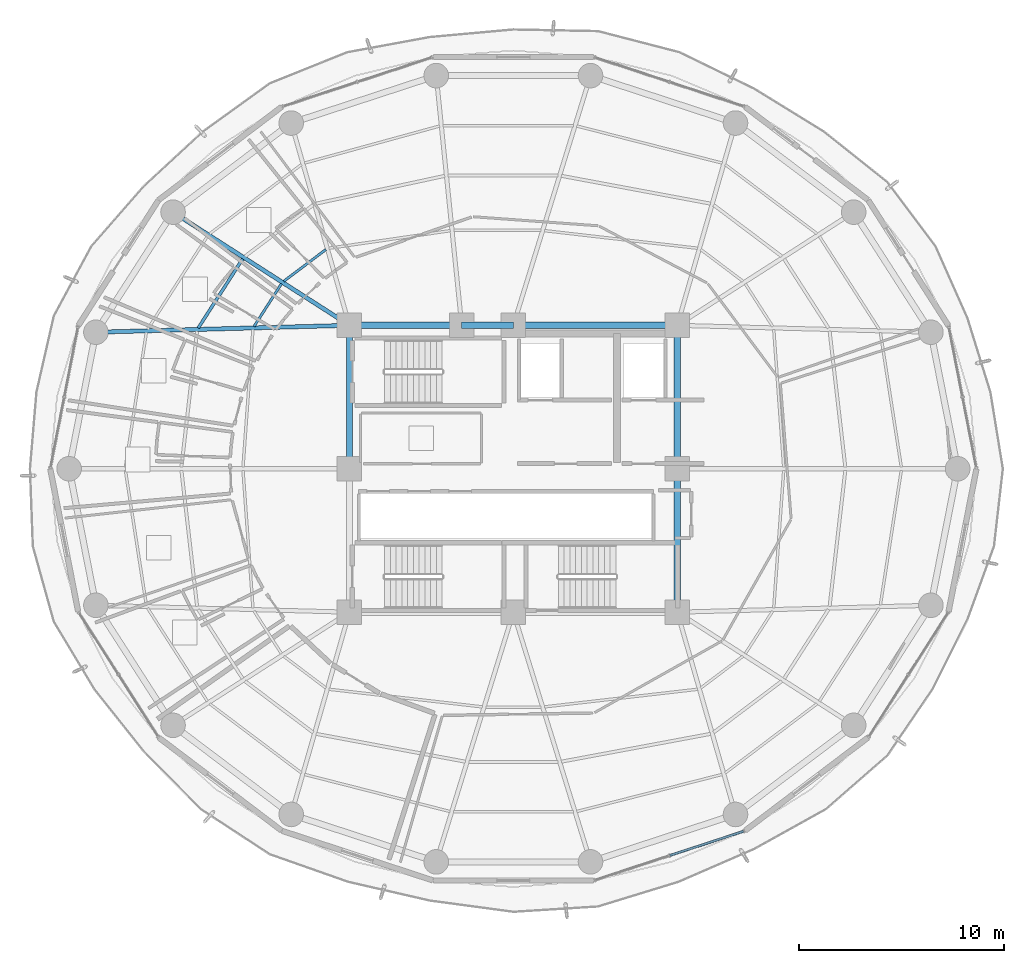
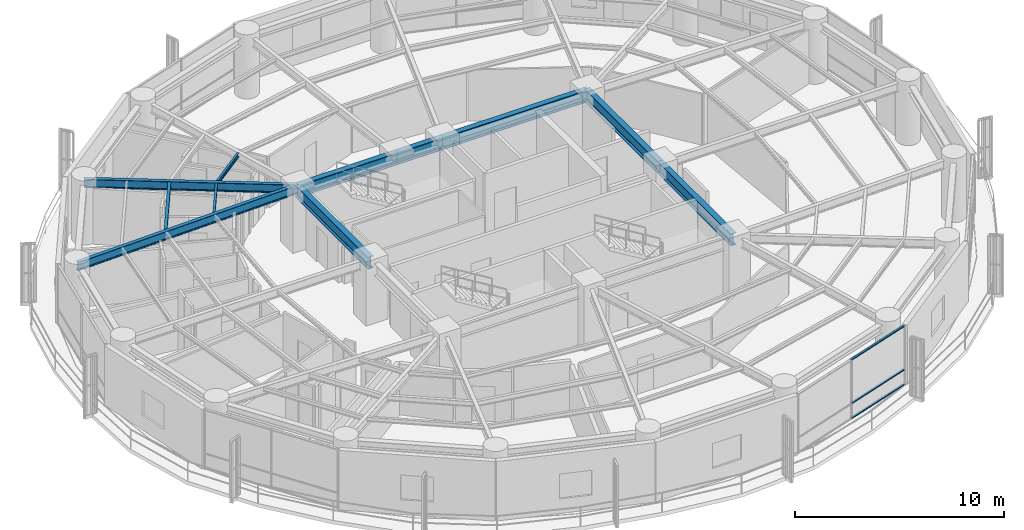
# One storey, part 9 of 27: 11 beams, 3 members, 1 element without a shape of its own.
"""IFC4 building model written with IfcOpenShell, lengths in metres."""

from ifc_helpers import new_model, si_unit, direction, frame, origin, origin_2d, place, context, subcontext, project, spatial, hollow_rectangle, i_section, extrude, material, layer, layer_set, material_profile, profile_set, type_object, element, aggregate, save


model = new_model("IFC4")

# Units and contexts
model_context = context("Model", 3, precision=1e-05, world=origin(), true_north=direction((0.0, 1.0)))
body_context = subcontext(model_context, "Body", "Model", "MODEL_VIEW")
ifc_project = project(units=[si_unit("LENGTHUNIT", "METRE"), si_unit("AREAUNIT", "SQUARE_METRE"), si_unit("VOLUMEUNIT", "CUBIC_METRE"), si_unit("PLANEANGLEUNIT", "RADIAN"), si_unit("MASSUNIT", "GRAM", prefix="KILO")], contexts=[model_context])

# Site, building, storey
site_placement = place(None, origin())
site = spatial("IfcSite", under=ifc_project, at=site_placement, CompositionType="ELEMENT")
building_placement = place(site_placement, origin())
building = spatial("IfcBuilding", under=site, at=building_placement, Name="Kelanora Arch Commons", CompositionType="ELEMENT")
storey_placement = place(building_placement, frame((0.0, 0.0, 169.35009765625)))
storey = spatial("IfcBuildingStorey", under=building, at=storey_placement, Name="L43", CompositionType="ELEMENT", Elevation=169.35009765625)

# Beams
ifc_material_1 = material(Name="Steel S355", Category="steel")
ifc_material_profile_1 = material_profile(ifc_material_1, i_section(OverallWidth=0.300048828125, OverallDepth=0.699951171875, WebThickness=0.01708984375, FlangeThickness=0.031982421875, FilletRadius=0.027099609375, at=origin_2d()), Name="HEB700")
ifc_profile_set_1 = profile_set([ifc_material_profile_1], Name="Steel S355")
beam_type_1 = type_object("IfcBeamType", Name="BM-CORE-HDR", PredefinedType="BEAM", material=ifc_profile_set_1)
for number, where, z_axis, x_axis, name in (
    (1, (82.0, 51.0, 3.139892578125), (0.0, 1.0, 0.0), (-1.0, 0.0, 0.0), "Core Header Beam 03 L43"),
    (2, (82.0, 58.0, 3.139892578125), (0.0, 1.0, 0.0), (-1.0, 0.0, 0.0), "Core Header Beam 04 L43"),
):
    element("IfcBeam", number, at=place(storey_placement, frame(where, z_axis=z_axis, x_axis=x_axis)), inside=storey, type_object=beam_type_1, Name=name, PredefinedType="BEAM", context=body_context, shape_type="SweptSolid", body=[
        extrude(i_section(OverallWidth=0.300048828125, OverallDepth=0.699951171875, WebThickness=0.01708984375, FlangeThickness=0.031982421875, FilletRadius=0.027099609375, at=origin_2d()), origin(), (0.0, 0.0, 1.0), 7.0),
    ])
beam_1_placement = place(storey_placement, frame((82.0, 65.0, 3.139892578125), z_axis=(-1.0, 0.0, 0.0), x_axis=(0.0, -1.0, 0.0)))
element("IfcBeam", 3, at=beam_1_placement, inside=storey, type_object=beam_type_1, Name="Core Header Beam 05 L43", PredefinedType="BEAM", context=body_context, shape_type="SweptSolid", body=[
    extrude(i_section(OverallWidth=0.300048828125, OverallDepth=0.699951171875, WebThickness=0.01708984375, FlangeThickness=0.031982421875, FilletRadius=0.027099609375, at=origin_2d()), origin(), (0.0, 0.0, 1.0), 8.0),
])
beam_2_placement = place(storey_placement, frame((74.0, 65.0, 3.139892578125), z_axis=(-1.0, 0.0, 0.0), x_axis=(0.0, -1.0, 0.0)))
element("IfcBeam", 4, at=beam_2_placement, inside=storey, type_object=beam_type_1, Name="Core Header Beam 06 L43", PredefinedType="BEAM", context=body_context, shape_type="SweptSolid", body=[
    extrude(i_section(OverallWidth=0.300048828125, OverallDepth=0.699951171875, WebThickness=0.01708984375, FlangeThickness=0.031982421875, FilletRadius=0.027099609375, at=origin_2d()), origin(), (0.0, 0.0, 1.0), 2.52001953125),
])
beam_3_placement = place(storey_placement, frame((71.47998046875, 65.0, 3.139892578125), z_axis=(-1.0, 0.0, 0.0), x_axis=(0.0, -1.0, 0.0)))
element("IfcBeam", 5, at=beam_3_placement, inside=storey, type_object=beam_type_1, Name="Core Header Beam 07 L43", PredefinedType="BEAM", context=body_context, shape_type="SweptSolid", body=[
    extrude(i_section(OverallWidth=0.300048828125, OverallDepth=0.699951171875, WebThickness=0.01708984375, FlangeThickness=0.031982421875, FilletRadius=0.027099609375, at=origin_2d()), origin(), (0.0, 0.0, 1.0), 5.47998046875),
])
beam_4_placement = place(storey_placement, frame((66.0, 65.0, 3.139892578125), z_axis=(0.0, -1.0, 0.0), x_axis=(1.0, 0.0, 0.0)))
element("IfcBeam", 6, at=beam_4_placement, inside=storey, type_object=beam_type_1, Name="Core Header Beam 08 L43", PredefinedType="BEAM", context=body_context, shape_type="SweptSolid", body=[
    extrude(i_section(OverallWidth=0.300048828125, OverallDepth=0.699951171875, WebThickness=0.01708984375, FlangeThickness=0.031982421875, FilletRadius=0.027099609375, at=origin_2d()), origin(), (0.0, 0.0, 1.0), 7.0),
])
ifc_material_profile_2 = material_profile(ifc_material_1, i_section(OverallWidth=0.14990234375, OverallDepth=0.300048828125, WebThickness=0.007080078125, FlangeThickness=0.0107421875, FilletRadius=0.014892578125, at=origin_2d()), Name="IPE300")
ifc_profile_set_2 = profile_set([ifc_material_profile_2], Name="Steel S355")
beam_type_2 = type_object("IfcBeamType", Name="BM-JST-01", PredefinedType="JOIST", material=ifc_profile_set_2)
beam_5_placement = place(storey_placement, frame((60.789306640625, 68.241455078125, 3.33984375), z_axis=(-0.540594434398, -0.841283339606, 0.0), x_axis=(0.841283339606, -0.540594434398, 0.0)))
element("IfcBeam", 7, at=beam_5_placement, inside=storey, type_object=beam_type_2, Name="Secondary Chord Joist BJB-14 L43", PredefinedType="JOIST", context=body_context, shape_type="SweptSolid", body=[
    extrude(i_section(OverallWidth=0.14990234375, OverallDepth=0.300048828125, WebThickness=0.007080078125, FlangeThickness=0.0107421875, FilletRadius=0.014892578125, at=origin_2d()), origin(), (0.0, 0.0, 1.0), 4.008544921875),
])
ifc_material_profile_3 = material_profile(ifc_material_1, i_section(OverallWidth=0.1201171875, OverallDepth=0.239990234375, WebThickness=0.006103515625, FlangeThickness=0.009765625, FilletRadius=0.014892578125, at=origin_2d()), Name="IPE240")
ifc_profile_set_3 = profile_set([ifc_material_profile_3], Name="Steel S355")
beam_type_3 = type_object("IfcBeamType", Name="BM-JST-02", PredefinedType="JOIST", material=ifc_profile_set_3)
beam_6_placement = place(storey_placement, frame((64.852783203125, 68.699462890625, 3.369873046875), z_axis=(-0.798484118859, -0.602015873487, 0.0), x_axis=(0.602015873487, -0.798484118859, 0.0)))
element("IfcBeam", 8, at=beam_6_placement, inside=storey, type_object=beam_type_3, Name="Secondary Chord Joist BJA-12 L43", PredefinedType="JOIST", context=body_context, shape_type="SweptSolid", body=[
    extrude(i_section(OverallWidth=0.1201171875, OverallDepth=0.239990234375, WebThickness=0.006103515625, FlangeThickness=0.009765625, FilletRadius=0.014892578125, at=origin_2d()), origin(), (0.0, 0.0, 1.0), 2.57470703125),
])
beam_7_placement = place(storey_placement, frame((62.68310546875, 67.026611328125, 3.369873046875), z_axis=(-0.540583174025, -0.841290575224, 0.0), x_axis=(0.841290575224, -0.540583174025, 0.0)))
element("IfcBeam", 9, at=beam_7_placement, inside=storey, type_object=beam_type_3, Name="Secondary Chord Joist BJA-14 L43", PredefinedType="JOIST", context=body_context, shape_type="SweptSolid", body=[
    extrude(i_section(OverallWidth=0.1201171875, OverallDepth=0.239990234375, WebThickness=0.006103515625, FlangeThickness=0.009765625, FilletRadius=0.014892578125, at=origin_2d()), origin(), (0.0, 0.0, 1.0), 2.476318359375),
])
ifc_material_profile_4 = material_profile(ifc_material_1, i_section(OverallWidth=0.199951171875, OverallDepth=0.5, WebThickness=0.01025390625, FlangeThickness=0.01611328125, FilletRadius=0.02099609375, at=origin_2d()), Name="IPE500")
ifc_profile_set_4 = profile_set([ifc_material_profile_4], Name="Steel S355")
beam_type_4 = type_object("IfcBeamType", Name="BM-RAD-Z3", PredefinedType="BEAM", material=ifc_profile_set_4)
beam_8_placement = place(storey_placement, frame((66.0, 65.0, 3.239990234375), z_axis=(-0.841719465748, 0.539915123868, 0.0), x_axis=(-0.539915123868, -0.841719465748, 0.0)))
element("IfcBeam", 10, at=beam_8_placement, inside=storey, type_object=beam_type_4, Name="Radial Floor Girder BR-14 L43", PredefinedType="BEAM", context=body_context, shape_type="SweptSolid", body=[
    extrude(i_section(OverallWidth=0.199951171875, OverallDepth=0.5, WebThickness=0.01025390625, FlangeThickness=0.01611328125, FilletRadius=0.02099609375, at=origin_2d()), origin(), (0.0, 0.0, 1.0), 10.2265625),
])
beam_9_placement = place(storey_placement, frame((66.0, 65.0, 3.239990234375), z_axis=(-0.999628374924, -0.027260081577, 0.0), x_axis=(0.027260081577, -0.999628374924, 0.0)))
element("IfcBeam", 11, at=beam_9_placement, inside=storey, type_object=beam_type_4, Name="Radial Floor Girder BR-16 L43", PredefinedType="BEAM", context=body_context, shape_type="SweptSolid", body=[
    extrude(i_section(OverallWidth=0.199951171875, OverallDepth=0.5, WebThickness=0.01025390625, FlangeThickness=0.01611328125, FilletRadius=0.02099609375, at=origin_2d()), origin(), (0.0, 0.0, 1.0), 12.377197265625),
])

# Curtain wall, members
ifc_material_2 = material(Name="Terracotta ceramic-fritted low-E glass and aluminium", Category="masonry")
ifc_layer = layer(ifc_material_2, 0.175048828125)
ifc_layer_set = layer_set([ifc_layer], Name="Terracotta ceramic-fritted low-E glass and aluminium")
curtain_wall_type = type_object("IfcCurtainWallType", Name="CW-SYS-02", PredefinedType="NOTDEFINED", material=ifc_layer_set)
curtain_wall_placement = place(storey_placement, origin())
curtain_wall = element("IfcCurtainWall", 12, at=curtain_wall_placement, inside=storey, type_object=curtain_wall_type, Name="Unitised Curtain Wall L43-B14", PredefinedType="NOTDEFINED")
ifc_material_3 = material(Name="Powder-coated aluminium terracotta", Category="masonry")
ifc_material_profile_5 = material_profile(ifc_material_3, hollow_rectangle(XDim=0.1201171875, YDim=0.06005859375, WallThickness=0.0048828125, InnerFilletRadius=0.0048828125, OuterFilletRadius=0.010009765625, at=origin_2d()), Name="CWT120x60")
ifc_profile_set_5 = profile_set([ifc_material_profile_5], Name="Powder-coated aluminium terracotta")
member_type = type_object("IfcMemberType", Name="CWT-STD", PredefinedType="USERDEFINED", material=ifc_profile_set_5)
member_1_placement = place(storey_placement, frame((81.640625, 39.130859375, 0.02978515625), z_axis=(0.950051191155, 0.312094111104, 0.0), x_axis=(-0.312094111104, 0.950051191155, 0.0)))
member_1 = element("IfcMember", 13, at=member_1_placement, type_object=member_type, Name="CW-02 transom 2.1", ObjectType="TRANSOM", PredefinedType="USERDEFINED", context=body_context, shape_type="SweptSolid", body=[
    extrude(hollow_rectangle(XDim=0.1201171875, YDim=0.06005859375, WallThickness=0.0048828125, InnerFilletRadius=0.0048828125, OuterFilletRadius=0.010009765625, at=origin_2d()), origin(), (0.0, 0.0, 1.0), 3.77685546875),
])
member_2_placement = place(storey_placement, frame((81.640625, 39.130859375, 0.89990234375), z_axis=(0.950051191155, 0.312094111104, 0.0), x_axis=(-0.312094111104, 0.950051191155, 0.0)))
member_2 = element("IfcMember", 14, at=member_2_placement, type_object=member_type, Name="CW-02 transom 2.2", ObjectType="TRANSOM", PredefinedType="USERDEFINED", context=body_context, shape_type="SweptSolid", body=[
    extrude(hollow_rectangle(XDim=0.1201171875, YDim=0.06005859375, WallThickness=0.0048828125, InnerFilletRadius=0.0048828125, OuterFilletRadius=0.010009765625, at=origin_2d()), origin(), (0.0, 0.0, 1.0), 3.77685546875),
])
member_3_placement = place(storey_placement, frame((81.640625, 39.130859375, 3.44482421875), z_axis=(0.950051191155, 0.312094111104, 0.0), x_axis=(-0.312094111104, 0.950051191155, 0.0)))
member_3 = element("IfcMember", 15, at=member_3_placement, type_object=member_type, Name="CW-02 transom 2.3", ObjectType="TRANSOM", PredefinedType="USERDEFINED", context=body_context, shape_type="SweptSolid", body=[
    extrude(hollow_rectangle(XDim=0.1201171875, YDim=0.06005859375, WallThickness=0.0048828125, InnerFilletRadius=0.0048828125, OuterFilletRadius=0.010009765625, at=origin_2d()), origin(), (0.0, 0.0, 1.0), 3.77685546875),
])
aggregate(curtain_wall, [member_1, member_2, member_3])

save(model, "model.ifc")
